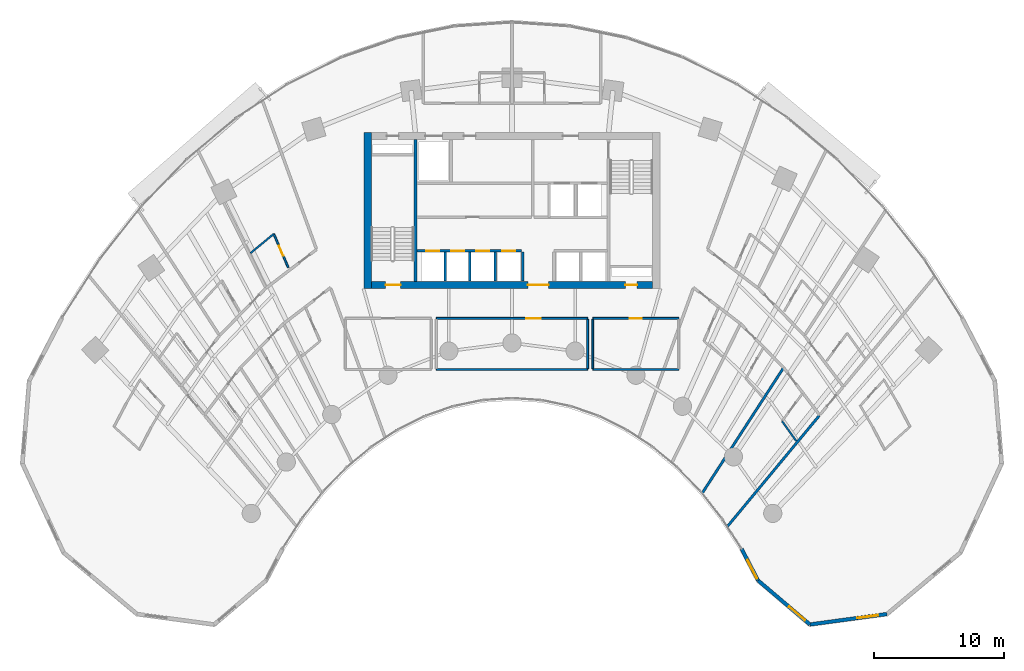
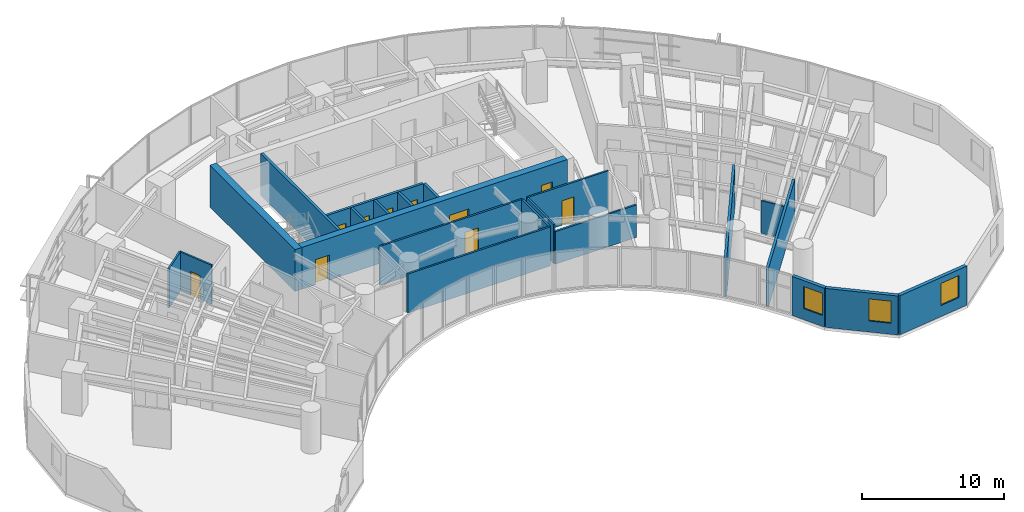
# One storey, part 12 of 18: 22 walls, 10 doors, 3 windows, 13 openings.
"""IFC4 building model written with IfcOpenShell, lengths in metres."""

from ifc_helpers import new_model, si_unit, direction, frame, frame_2d, origin, place, context, subcontext, project, spatial, rectangle, extrude, source, transform, mapped, material, layer, layer_set, type_object, type_shapes, element, fill, save


model = new_model("IFC4")

# Units and contexts
model_context = context("Model", 3, precision=1e-05, world=origin(), true_north=direction((0.0, 1.0)))
body_context = subcontext(model_context, "Body", "Model", "MODEL_VIEW")
ifc_project = project(units=[si_unit("LENGTHUNIT", "METRE"), si_unit("AREAUNIT", "SQUARE_METRE"), si_unit("VOLUMEUNIT", "CUBIC_METRE"), si_unit("PLANEANGLEUNIT", "RADIAN"), si_unit("MASSUNIT", "GRAM", prefix="KILO")], contexts=[model_context])

# Site, building, storey
site_placement = place(None, origin())
site = spatial("IfcSite", under=ifc_project, at=site_placement, CompositionType="ELEMENT")
building_placement = place(site_placement, origin())
building = spatial("IfcBuilding", under=site, at=building_placement, Name="Breltana Convention Tower", CompositionType="ELEMENT")
storey_placement = place(building_placement, frame((0.0, 0.0, 39.0)))
storey = spatial("IfcBuildingStorey", under=building, at=storey_placement, Name="L07", CompositionType="ELEMENT", Elevation=39.0)

# Wall
ifc_material_1 = material(Name="Concrete C60/75", Category="concrete")
ifc_layer_1 = layer(ifc_material_1, 0.550048828125, Name="Concrete C60/75")
ifc_layer_set_1 = layer_set([ifc_layer_1], Name="Concrete C60/75")
wall_type_1 = type_object("IfcWallType", Name="SW-CORE-550", PredefinedType="SHEAR", material=ifc_layer_set_1)
shared_shape_1 = source(origin(), body_context, "Body", "SweptSolid", [
    extrude(rectangle(XDim=12.0, YDim=0.550048828125, at=frame_2d((6.0, 0.0))), origin(), (0.0, 0.0, 1.0), 3.60009765625),
])
wall_1_placement = place(storey_placement, frame((36.925048828125, 60.199951171875, 0.0), z_axis=(0.0, 0.0, 1.0), x_axis=(0.0, 1.0, 0.0)))
element("IfcWall", 1, at=wall_1_placement, inside=storey, type_object=wall_type_1, Name="L07 West Core Shear Wall", PredefinedType="SHEAR", context=body_context, shape_type="MappedRepresentation", body=[
    mapped(shared_shape_1, transform((0.0, 0.0, 0.0), scale=1.0)),
])

# Wall, openings, doors
shared_shape_2 = source(origin(), body_context, "Body", "SweptSolid", [
    extrude(rectangle(XDim=21.60009765625, YDim=0.550048828125, at=frame_2d((10.800048828125, 0.0))), origin(), (0.0, 0.0, 1.0), 3.60009765625),
])
wall_2_placement = place(storey_placement, frame((37.199951171875, 60.47509765625, 0.0), z_axis=(0.0, 0.0, 1.0), x_axis=(1.0, 0.0, 0.0)))
wall_2 = element("IfcWall", 2, at=wall_2_placement, inside=storey, type_object=wall_type_1, Name="L07 South Core Shear Wall", PredefinedType="SHEAR", context=body_context, shape_type="MappedRepresentation", body=[
    mapped(shared_shape_2, transform((0.0, 0.0, 0.0), scale=1.0)),
])
opening_1_placement = place(wall_2_placement, frame((1.10009765625, 0.0, 0.0)))
opening_1 = element("IfcOpeningElement", 3, at=opening_1_placement, cuts=wall_2, Name="Opening D-11", PredefinedType="OPENING", context=body_context, shape_type="SweptSolid", body=[
    extrude(rectangle(XDim=1.14990234375, YDim=2.14990234375, at=frame_2d((0.574951171875, 1.074951171875))), frame((0.0, 0.28515625, 0.0), z_axis=(0.0, -1.0, 0.0), x_axis=(1.0, 0.0, 0.0)), (0.0, 0.0, 1.0), 0.570068359375),
])
opening_2_placement = place(wall_2_placement, frame((19.5, 0.0, 0.0)))
opening_2 = element("IfcOpeningElement", 4, at=opening_2_placement, cuts=wall_2, Name="Opening D-18", PredefinedType="OPENING", context=body_context, shape_type="SweptSolid", body=[
    extrude(rectangle(XDim=0.89990234375, YDim=2.10009765625, at=frame_2d((0.449951171875, 1.050048828125))), frame((0.0, 0.28515625, 0.0), z_axis=(0.0, -1.0, 0.0), x_axis=(1.0, 0.0, 0.0)), (0.0, 0.0, 1.0), 0.570068359375),
])
opening_3_placement = place(wall_2_placement, frame((12.02001953125, 0.0, 0.0)))
opening_3 = element("IfcOpeningElement", 5, at=opening_3_placement, cuts=wall_2, Name="Opening D-02", PredefinedType="OPENING", context=body_context, shape_type="SweptSolid", body=[
    extrude(rectangle(XDim=1.60009765625, YDim=2.14990234375, at=frame_2d((0.800048828125, 1.074951171875))), frame((0.0, 0.28515625, 0.0), z_axis=(0.0, -1.0, 0.0), x_axis=(1.0, 0.0, 0.0)), (0.0, 0.0, 1.0), 0.570068359375),
])
ifc_material_2 = material(Name="Steel Stair Exit Door", Category="steel")
door_type_1 = type_object("IfcDoorType", Name="DR-FD120-1150", OperationType="NOTDEFINED", PredefinedType="DOOR", material=ifc_material_2)
shared_shape_3 = source(origin(), body_context, "Body", "SweptSolid", [
    extrude(rectangle(XDim=1.14990234375, YDim=2.14990234375, at=frame_2d((0.574951171875, 1.074951171875))), frame((0.0, 0.02490234375, 0.0), z_axis=(0.0, -1.0, 0.0), x_axis=(1.0, 0.0, 0.0)), (0.0, 0.0, 1.0), 0.050048828125),
])
type_shapes(door_type_1, [shared_shape_3])
door_1_placement = place(opening_1_placement, origin())
door_1 = element("IfcDoor", 6, at=door_1_placement, inside=storey, type_object=door_type_1, Name="L07 interior door D-L07-ST1", OperationType="SINGLE_SWING_LEFT", OverallHeight=2.14990234375, OverallWidth=1.14990234375, PredefinedType="DOOR", context=body_context, shape_type="MappedRepresentation", body=[
    mapped(shared_shape_3, transform((0.0, 0.0, 0.0), scale=1.0)),
])
fill(opening_1, door_1)
ifc_material_3 = material(Name="Steel Riser Fire Door", Category="steel")
door_type_2 = type_object("IfcDoorType", Name="DR-FD60-900", OperationType="NOTDEFINED", PredefinedType="DOOR", material=ifc_material_3)
shared_shape_4 = source(origin(), body_context, "Body", "SweptSolid", [
    extrude(rectangle(XDim=0.89990234375, YDim=2.10009765625, at=frame_2d((0.449951171875, 1.050048828125))), frame((0.0, 0.02490234375, 0.0), z_axis=(0.0, -1.0, 0.0), x_axis=(1.0, 0.0, 0.0)), (0.0, 0.0, 1.0), 0.050048828125),
])
type_shapes(door_type_2, [shared_shape_4])
door_2_placement = place(opening_2_placement, origin())
door_2 = element("IfcDoor", 7, at=door_2_placement, inside=storey, type_object=door_type_2, Name="L07 Core Riser Access Door D-L07-RS2", OperationType="SINGLE_SWING_RIGHT", OverallHeight=2.10009765625, OverallWidth=0.89990234375, PredefinedType="DOOR", context=body_context, shape_type="MappedRepresentation", body=[
    mapped(shared_shape_4, transform((0.0, 0.0, 0.0), scale=1.0)),
])
fill(opening_2, door_2)
ifc_material_4 = material(Name="Steel Glazed Smoke-Control Door", Category="steel")
door_type_3 = type_object("IfcDoorType", Name="DR-DBL-FD90-1600", OperationType="DOUBLE_DOOR_SINGLE_SWING", PredefinedType="DOOR", material=ifc_material_4)
shared_shape_5 = source(origin(), body_context, "Body", "SweptSolid", [
    extrude(rectangle(XDim=1.60009765625, YDim=2.14990234375, at=frame_2d((0.800048828125, 1.074951171875))), frame((0.0, 0.02490234375, 0.0), z_axis=(0.0, -1.0, 0.0), x_axis=(1.0, 0.0, 0.0)), (0.0, 0.0, 1.0), 0.050048828125),
])
type_shapes(door_type_3, [shared_shape_5])
door_3_placement = place(opening_3_placement, origin())
door_3 = element("IfcDoor", 8, at=door_3_placement, inside=storey, type_object=door_type_3, Name="L07 interior door D-L07-LLB-S", OperationType="DOUBLE_DOOR_SINGLE_SWING", OverallHeight=2.14990234375, OverallWidth=1.60009765625, PredefinedType="DOOR", context=body_context, shape_type="MappedRepresentation", body=[
    mapped(shared_shape_5, transform((0.0, 0.0, 0.0), scale=1.0)),
])
fill(opening_3, door_3)

# Wall
ifc_material_5 = material(Name="Concrete C50/60", Category="concrete")
ifc_layer_2 = layer(ifc_material_5, 0.39990234375, Name="Concrete C50/60")
ifc_layer_set_2 = layer_set([ifc_layer_2], Name="Concrete C50/60")
wall_type_2 = type_object("IfcWallType", Name="SW-CORE-400", PredefinedType="SHEAR", material=ifc_layer_set_2)
shared_shape_6 = source(origin(), body_context, "Body", "SweptSolid", [
    extrude(rectangle(XDim=10.89990234375, YDim=0.219970703125, at=frame_2d((5.449951171875, 0.0))), origin(), (0.0, 0.0, 1.0), 3.60009765625),
])
wall_3_placement = place(storey_placement, frame((40.580078125, 60.75, 0.0), z_axis=(0.0, 0.0, 1.0), x_axis=(0.0, 1.0, 0.0)))
element("IfcWall", 9, at=wall_3_placement, inside=storey, type_object=wall_type_2, Name="L07 Core West Stair Spine Wall", PredefinedType="SHEAR", context=body_context, shape_type="MappedRepresentation", body=[
    mapped(shared_shape_6, transform((0.0, 0.0, 0.0), scale=1.0)),
])

# Wall, opening, window
ifc_material_6 = material(Name="Limestone Buff Insulated Wall", Category="masonry")
ifc_layer_3 = layer(ifc_material_6, 0.280029296875, Name="Limestone Buff Insulated Wall")
ifc_layer_set_3 = layer_set([ifc_layer_3], Name="Limestone Buff Insulated Wall")
wall_type_3 = type_object("IfcWallType", Name="WL-EXT-NOSE-280", PredefinedType="SOLIDWALL", material=ifc_layer_set_3)
shared_shape_7 = source(origin(), body_context, "Body", "SweptSolid", [
    extrude(rectangle(XDim=5.96728515625, YDim=0.280029296875, at=frame_2d((2.983642578125, 0.0))), origin(), (0.0, 0.0, 1.0), 3.360107421875),
])
wall_4_placement = place(storey_placement, frame((76.77734375, 35.226806640625, 0.0), z_axis=(0.0, 0.0, 1.0), x_axis=(-0.990927009341, -0.134401124099, 0.0)))
wall_4 = element("IfcWall", 10, at=wall_4_placement, inside=storey, type_object=wall_type_3, Name="L07 curved limestone nose wall E4", PredefinedType="SOLIDWALL", context=body_context, shape_type="MappedRepresentation", body=[
    mapped(shared_shape_7, transform((0.0, 0.0, 0.0), scale=1.0)),
])
opening_4_placement = place(wall_4_placement, frame((0.69189453125, 0.0, 0.949951171875)))
opening_4 = element("IfcOpeningElement", 11, at=opening_4_placement, cuts=wall_4, Name="Opening W-04", PredefinedType="OPENING", context=body_context, shape_type="SweptSolid", body=[
    extrude(rectangle(XDim=1.60009765625, YDim=1.89990234375, at=frame_2d((0.800048828125, 0.949951171875))), frame((0.0, 0.14990234375, 0.0), z_axis=(0.0, -1.0, 0.0), x_axis=(1.0, 0.0, 0.0)), (0.0, 0.0, 1.0), 0.300048828125),
])
ifc_material_7 = material(Name="Glass Low-E Insulated Window", Category="glass")
window_type = type_object("IfcWindowType", Name="WN-NOSE-1600X1900", PartitioningType="SINGLE_PANEL", PredefinedType="WINDOW", material=ifc_material_7)
shared_shape_8 = source(origin(), body_context, "Body", "SweptSolid", [
    extrude(rectangle(XDim=1.60009765625, YDim=1.89990234375, at=frame_2d((0.800048828125, 0.949951171875))), frame((0.0, 0.030029296875, 0.0), z_axis=(0.0, -1.0, 0.0), x_axis=(1.0, 0.0, 0.0)), (0.0, 0.0, 1.0), 0.06005859375),
])
type_shapes(window_type, [shared_shape_8])
window_1_placement = place(opening_4_placement, origin())
window_1 = element("IfcWindow", 12, at=window_1_placement, inside=storey, type_object=window_type, Name="L07 nose window E4", OverallHeight=1.89990234375, OverallWidth=1.60009765625, PartitioningType="SINGLE_PANEL", PredefinedType="WINDOW", context=body_context, shape_type="MappedRepresentation", body=[
    mapped(shared_shape_8, transform((0.0, 0.0, 0.0), scale=1.0)),
])
fill(opening_4, window_1)

shared_shape_9 = source(origin(), body_context, "Body", "SweptSolid", [
    extrude(rectangle(XDim=5.222412109375, YDim=0.280029296875, at=frame_2d((2.611328125, 0.0))), origin(), (0.0, 0.0, 1.0), 3.360107421875),
])
wall_5_placement = place(storey_placement, frame((70.8642578125, 34.4248046875, 0.0), z_axis=(0.0, 0.0, 1.0), x_axis=(-0.761900099546, 0.647694556339, 0.0)))
wall_5 = element("IfcWall", 13, at=wall_5_placement, inside=storey, type_object=wall_type_3, Name="L07 curved limestone nose wall E5", PredefinedType="SOLIDWALL", context=body_context, shape_type="MappedRepresentation", body=[
    mapped(shared_shape_9, transform((0.0, 0.0, 0.0), scale=1.0)),
])
opening_5_placement = place(wall_5_placement, frame((0.505615234375, 0.0, 0.949951171875)))
opening_5 = element("IfcOpeningElement", 14, at=opening_5_placement, cuts=wall_5, Name="Opening W-04", PredefinedType="OPENING", context=body_context, shape_type="SweptSolid", body=[
    extrude(rectangle(XDim=1.60009765625, YDim=1.89990234375, at=frame_2d((0.800048828125, 0.949951171875))), frame((0.0, 0.14990234375, 0.0), z_axis=(0.0, -1.0, 0.0), x_axis=(1.0, 0.0, 0.0)), (0.0, 0.0, 1.0), 0.300048828125),
])
window_2_placement = place(opening_5_placement, origin())
window_2 = element("IfcWindow", 15, at=window_2_placement, inside=storey, type_object=window_type, Name="L07 nose window E5", OverallHeight=1.89990234375, OverallWidth=1.60009765625, PartitioningType="SINGLE_PANEL", PredefinedType="WINDOW", context=body_context, shape_type="MappedRepresentation", body=[
    mapped(shared_shape_8, transform((0.0, 0.0, 0.0), scale=1.0)),
])
fill(opening_5, window_2)

shared_shape_10 = source(origin(), body_context, "Body", "SweptSolid", [
    extrude(rectangle(XDim=2.7353515625, YDim=0.280029296875, at=frame_2d((1.36767578125, 0.0))), origin(), (0.0, 0.0, 1.0), 3.360107421875),
])
wall_6_placement = place(storey_placement, frame((66.88525390625, 37.807373046875, 0.0), z_axis=(0.0, 0.0, 1.0), x_axis=(-0.46179107292, 0.886988728774, 0.0)))
wall_6 = element("IfcWall", 16, at=wall_6_placement, inside=storey, type_object=wall_type_3, Name="L07 curved limestone nose wall E6", PredefinedType="SOLIDWALL", context=body_context, shape_type="MappedRepresentation", body=[
    mapped(shared_shape_10, transform((0.0, 0.0, 0.0), scale=1.0)),
])
opening_6_placement = place(wall_6_placement, frame((0.159912109375, 0.0, 0.949951171875)))
opening_6 = element("IfcOpeningElement", 17, at=opening_6_placement, cuts=wall_6, Name="Opening W-04", PredefinedType="OPENING", context=body_context, shape_type="SweptSolid", body=[
    extrude(rectangle(XDim=1.60009765625, YDim=1.89990234375, at=frame_2d((0.800048828125, 0.949951171875))), frame((0.0, 0.14990234375, 0.0), z_axis=(0.0, -1.0, 0.0), x_axis=(1.0, 0.0, 0.0)), (0.0, 0.0, 1.0), 0.300048828125),
])
window_3_placement = place(opening_6_placement, origin())
window_3 = element("IfcWindow", 18, at=window_3_placement, inside=storey, type_object=window_type, Name="L07 nose window E6", OverallHeight=1.89990234375, OverallWidth=1.60009765625, PartitioningType="SINGLE_PANEL", PredefinedType="WINDOW", context=body_context, shape_type="MappedRepresentation", body=[
    mapped(shared_shape_8, transform((0.0, 0.0, 0.0), scale=1.0)),
])
fill(opening_6, window_3)

# Wall
ifc_material_8 = material(Name="Autoclaved Aerated Concrete Block", Category="concrete")
ifc_layer_4 = layer(ifc_material_8, 0.199951171875, Name="Autoclaved Aerated Concrete Block")
ifc_layer_set_4 = layer_set([ifc_layer_4], Name="Autoclaved Aerated Concrete Block")
wall_type_4 = type_object("IfcWallType", Name="WL-SHAFT-200", PredefinedType="SOLIDWALL", material=ifc_layer_set_4)
shared_shape_11 = source(origin(), body_context, "Body", "SweptSolid", [
    extrude(rectangle(XDim=2.239990234375, YDim=0.199951171875, at=frame_2d((1.1201171875, 0.0))), origin(), (0.0, 0.0, 1.0), 3.360107421875),
])
wall_7_placement = place(storey_placement, frame((48.820068359375, 60.780029296875, 0.0), z_axis=(0.0, 0.0, 1.0), x_axis=(0.0, 1.0, 0.0)))
element("IfcWall", 19, at=wall_7_placement, inside=storey, type_object=wall_type_4, Name="L07 interior partition W-L07-PORT-W", PredefinedType="SOLIDWALL", context=body_context, shape_type="MappedRepresentation", body=[
    mapped(shared_shape_11, transform((0.0, 0.0, 0.0), scale=1.0)),
])

# Wall, openings, doors
shared_shape_12 = source(origin(), body_context, "Body", "SweptSolid", [
    extrude(rectangle(XDim=8.02001953125, YDim=0.199951171875, at=frame_2d((4.010009765625, 0.0))), origin(), (0.0, 0.0, 1.0), 3.360107421875),
])
wall_8_placement = place(storey_placement, frame((40.699951171875, 63.10009765625, 0.0), z_axis=(0.0, 0.0, 1.0), x_axis=(1.0, 0.0, 0.0)))
wall_8 = element("IfcWall", 20, at=wall_8_placement, inside=storey, type_object=wall_type_4, Name="L07 interior partition W-L07-SH-S-FRONT", PredefinedType="SOLIDWALL", context=body_context, shape_type="MappedRepresentation", body=[
    mapped(shared_shape_12, transform((0.0, 0.0, 0.0), scale=1.0)),
])
opening_7_placement = place(wall_8_placement, frame((0.719970703125, 0.0, 0.0)))
opening_7 = element("IfcOpeningElement", 21, at=opening_7_placement, cuts=wall_8, Name="Opening LD-04", PredefinedType="OPENING", context=body_context, shape_type="SweptSolid", body=[
    extrude(rectangle(XDim=1.0, YDim=2.14990234375, at=frame_2d((0.5, 1.074951171875))), frame((0.0, 0.10986328125, 0.0), z_axis=(0.0, -1.0, 0.0), x_axis=(1.0, 0.0, 0.0)), (0.0, 0.0, 1.0), 0.219970703125),
])
opening_8_placement = place(wall_8_placement, frame((2.6201171875, 0.0, 0.0)))
opening_8 = element("IfcOpeningElement", 22, at=opening_8_placement, cuts=wall_8, Name="Opening LD-04", PredefinedType="OPENING", context=body_context, shape_type="SweptSolid", body=[
    extrude(rectangle(XDim=1.0, YDim=2.14990234375, at=frame_2d((0.5, 1.074951171875))), frame((0.0, 0.10986328125, 0.0), z_axis=(0.0, -1.0, 0.0), x_axis=(1.0, 0.0, 0.0)), (0.0, 0.0, 1.0), 0.219970703125),
])
opening_9_placement = place(wall_8_placement, frame((4.550048828125, 0.0, 0.0)))
opening_9 = element("IfcOpeningElement", 23, at=opening_9_placement, cuts=wall_8, Name="Opening LD-04", PredefinedType="OPENING", context=body_context, shape_type="SweptSolid", body=[
    extrude(rectangle(XDim=1.0, YDim=2.14990234375, at=frame_2d((0.5, 1.074951171875))), frame((0.0, 0.10986328125, 0.0), z_axis=(0.0, -1.0, 0.0), x_axis=(1.0, 0.0, 0.0)), (0.0, 0.0, 1.0), 0.219970703125),
])
opening_10_placement = place(wall_8_placement, frame((6.550048828125, 0.0, 0.0)))
opening_10 = element("IfcOpeningElement", 24, at=opening_10_placement, cuts=wall_8, Name="Opening LD-04", PredefinedType="OPENING", context=body_context, shape_type="SweptSolid", body=[
    extrude(rectangle(XDim=1.0, YDim=2.14990234375, at=frame_2d((0.5, 1.074951171875))), frame((0.0, 0.10986328125, 0.0), z_axis=(0.0, -1.0, 0.0), x_axis=(1.0, 0.0, 0.0)), (0.0, 0.0, 1.0), 0.219970703125),
])
ifc_material_9 = material(Name="Stainless Steel Brushed", Category="steel")
door_type_4 = type_object("IfcDoorType", Name="DR-LD-PAX-1000", OperationType="DOUBLE_DOOR_SLIDING", PredefinedType="DOOR", material=ifc_material_9)
shared_shape_13 = source(origin(), body_context, "Body", "SweptSolid", [
    extrude(rectangle(XDim=1.0, YDim=2.14990234375, at=frame_2d((0.5, 1.074951171875))), frame((0.0, 0.02490234375, 0.0), z_axis=(0.0, -1.0, 0.0), x_axis=(1.0, 0.0, 0.0)), (0.0, 0.0, 1.0), 0.050048828125),
])
type_shapes(door_type_4, [shared_shape_13])
door_4_placement = place(opening_7_placement, origin())
door_4 = element("IfcDoor", 25, at=door_4_placement, inside=storey, type_object=door_type_4, Name="L07 Lift Landing Door D-L07-LD-S1", OperationType="DOUBLE_DOOR_SLIDING", OverallHeight=2.14990234375, OverallWidth=1.0, PredefinedType="DOOR", context=body_context, shape_type="MappedRepresentation", body=[
    mapped(shared_shape_13, transform((0.0, 0.0, 0.0), scale=1.0)),
])
fill(opening_7, door_4)
door_5_placement = place(opening_8_placement, origin())
door_5 = element("IfcDoor", 26, at=door_5_placement, inside=storey, type_object=door_type_4, Name="L07 Lift Landing Door D-L07-LD-S2", OperationType="DOUBLE_DOOR_SLIDING", OverallHeight=2.14990234375, OverallWidth=1.0, PredefinedType="DOOR", context=body_context, shape_type="MappedRepresentation", body=[
    mapped(shared_shape_13, transform((0.0, 0.0, 0.0), scale=1.0)),
])
fill(opening_8, door_5)
door_6_placement = place(opening_9_placement, origin())
door_6 = element("IfcDoor", 27, at=door_6_placement, inside=storey, type_object=door_type_4, Name="L07 Lift Landing Door D-L07-LD-S3", OperationType="DOUBLE_DOOR_SLIDING", OverallHeight=2.14990234375, OverallWidth=1.0, PredefinedType="DOOR", context=body_context, shape_type="MappedRepresentation", body=[
    mapped(shared_shape_13, transform((0.0, 0.0, 0.0), scale=1.0)),
])
fill(opening_9, door_6)
door_7_placement = place(opening_10_placement, origin())
door_7 = element("IfcDoor", 28, at=door_7_placement, inside=storey, type_object=door_type_4, Name="L07 Lift Landing Door D-L07-LD-S4", OperationType="DOUBLE_DOOR_SLIDING", OverallHeight=2.14990234375, OverallWidth=1.0, PredefinedType="DOOR", context=body_context, shape_type="MappedRepresentation", body=[
    mapped(shared_shape_13, transform((0.0, 0.0, 0.0), scale=1.0)),
])
fill(opening_10, door_7)

# Walls
shared_shape_14 = source(origin(), body_context, "Body", "SweptSolid", [
    extrude(rectangle(XDim=2.199951171875, YDim=0.199951171875, at=frame_2d((1.10009765625, 0.0))), origin(), (0.0, 0.0, 1.0), 3.360107421875),
])
for number, where, z_axis, x_axis, name in (
    (29, (42.8701171875, 60.800048828125, 0.0), (0.0, 0.0, 1.0), (0.0, 1.0, 0.0), "L07 interior partition W-L07-SH-S-DIV1"),
    (30, (44.77001953125, 60.800048828125, 0.0), (0.0, 0.0, 1.0), (0.0, 1.0, 0.0), "L07 interior partition W-L07-SH-S-DIV2"),
    (31, (46.699951171875, 60.800048828125, 0.0), (0.0, 0.0, 1.0), (0.0, 1.0, 0.0), "L07 interior partition W-L07-SH-S-DIV3"),
):
    element("IfcWall", number, at=place(storey_placement, frame(where, z_axis=z_axis, x_axis=x_axis)), inside=storey, type_object=wall_type_4, Name=name, PredefinedType="SOLIDWALL", context=body_context, shape_type="MappedRepresentation", body=[
        mapped(shared_shape_14, transform((0.0, 0.0, 0.0), scale=1.0)),
    ])
ifc_material_10 = material(Name="Gypsum Acoustic Drywall Partition")
ifc_layer_5 = layer(ifc_material_10, 0.14990234375, Name="Gypsum Acoustic Drywall Partition")
ifc_layer_set_5 = layer_set([ifc_layer_5], Name="Gypsum Acoustic Drywall Partition")
wall_type_5 = type_object("IfcWallType", Name="WL-PART-150", PredefinedType="PARTITIONING", material=ifc_layer_set_5)
shared_shape_15 = source(origin(), body_context, "Body", "SweptSolid", [
    extrude(rectangle(XDim=6.60009765625, YDim=0.14990234375, at=frame_2d((3.300048828125, 0.0))), origin(), (0.0, 0.0, 1.0), 2.802978515625),
])
wall_9_placement = place(storey_placement, frame((54.199951171875, 54.0, 0.0), z_axis=(0.0, 0.0, 1.0), x_axis=(1.0, 0.0, 0.0)))
element("IfcWall", 32, at=wall_9_placement, inside=storey, type_object=wall_type_5, Name="L07 interior partition W-L07-HMT-S", PredefinedType="PARTITIONING", context=body_context, shape_type="MappedRepresentation", body=[
    mapped(shared_shape_15, transform((0.0, 0.0, 0.0), scale=1.0)),
])

# Wall, opening, door
shared_shape_16 = source(origin(), body_context, "Body", "SweptSolid", [
    extrude(rectangle(XDim=6.60009765625, YDim=0.14990234375, at=frame_2d((3.300048828125, 0.0))), origin(), (0.0, 0.0, 1.0), 3.360107421875),
])
wall_10_placement = place(storey_placement, frame((54.199951171875, 57.919921875, 0.0), z_axis=(0.0, 0.0, 1.0), x_axis=(1.0, 0.0, 0.0)))
wall_10 = element("IfcWall", 33, at=wall_10_placement, inside=storey, type_object=wall_type_5, Name="L07 interior partition W-L07-HMT-N", PredefinedType="PARTITIONING", context=body_context, shape_type="MappedRepresentation", body=[
    mapped(shared_shape_16, transform((0.0, 0.0, 0.0), scale=1.0)),
])
opening_11_placement = place(wall_10_placement, frame((2.824951171875, 0.0, 0.0)))
opening_11 = element("IfcOpeningElement", 34, at=opening_11_placement, cuts=wall_10, Name="Opening D-17", PredefinedType="OPENING", context=body_context, shape_type="SweptSolid", body=[
    extrude(rectangle(XDim=0.949951171875, YDim=2.10009765625, at=frame_2d((0.47509765625, 1.050048828125))), frame((0.0, 0.0849609375, 0.0), z_axis=(0.0, -1.0, 0.0), x_axis=(1.0, 0.0, 0.0)), (0.0, 0.0, 1.0), 0.169921875),
])
ifc_material_11 = material(Name="Timber Oak Veneer Door", Category="wood")
door_type_5 = type_object("IfcDoorType", Name="DR-INT-950", OperationType="NOTDEFINED", PredefinedType="DOOR", material=ifc_material_11)
shared_shape_17 = source(origin(), body_context, "Body", "SweptSolid", [
    extrude(rectangle(XDim=0.949951171875, YDim=2.10009765625, at=frame_2d((0.47509765625, 1.050048828125))), frame((0.0, 0.02490234375, 0.0), z_axis=(0.0, -1.0, 0.0), x_axis=(1.0, 0.0, 0.0)), (0.0, 0.0, 1.0), 0.050048828125),
])
type_shapes(door_type_5, [shared_shape_17])
door_8_placement = place(opening_11_placement, origin())
door_8 = element("IfcDoor", 35, at=door_8_placement, inside=storey, type_object=door_type_5, Name="L07 interior door D-L07-HMT", OperationType="SINGLE_SWING_LEFT", OverallHeight=2.10009765625, OverallWidth=0.949951171875, PredefinedType="DOOR", context=body_context, shape_type="MappedRepresentation", body=[
    mapped(shared_shape_17, transform((0.0, 0.0, 0.0), scale=1.0)),
])
fill(opening_11, door_8)

# Walls
shared_shape_18 = source(origin(), body_context, "Body", "SweptSolid", [
    extrude(rectangle(XDim=3.78515625, YDim=0.14990234375, at=frame_2d((1.892578125, 0.0))), origin(), (0.0, 0.0, 1.0), 3.360107421875),
])
for number, where, z_axis, x_axis, name in (
    (36, (53.800048828125, 54.0673828125, 0.0), (0.0, 0.0, 1.0), (0.0, 1.0, 0.0), "L07 interior partition W-L07-HLG-E"),
    (37, (54.199951171875, 54.0673828125, 0.0), (0.0, 0.0, 1.0), (0.0, 1.0, 0.0), "L07 interior partition W-L07-HMT-W"),
):
    element("IfcWall", number, at=place(storey_placement, frame(where, z_axis=z_axis, x_axis=x_axis)), inside=storey, type_object=wall_type_5, Name=name, PredefinedType="PARTITIONING", context=body_context, shape_type="MappedRepresentation", body=[
        mapped(shared_shape_18, transform((0.0, 0.0, 0.0), scale=1.0)),
    ])
shared_shape_19 = source(origin(), body_context, "Body", "SweptSolid", [
    extrude(rectangle(XDim=11.60009765625, YDim=0.14990234375, at=frame_2d((5.800048828125, 0.0))), origin(), (0.0, 0.0, 1.0), 3.360107421875),
])
wall_11_placement = place(storey_placement, frame((42.199951171875, 54.0, 0.0), z_axis=(0.0, 0.0, 1.0), x_axis=(1.0, 0.0, 0.0)))
element("IfcWall", 38, at=wall_11_placement, inside=storey, type_object=wall_type_5, Name="L07 interior partition W-L07-HLG-S", PredefinedType="PARTITIONING", context=body_context, shape_type="MappedRepresentation", body=[
    mapped(shared_shape_19, transform((0.0, 0.0, 0.0), scale=1.0)),
])

# Wall, opening, door
wall_12_placement = place(storey_placement, frame((42.199951171875, 57.919921875, 0.0), z_axis=(0.0, 0.0, 1.0), x_axis=(1.0, 0.0, 0.0)))
wall_12 = element("IfcWall", 39, at=wall_12_placement, inside=storey, type_object=wall_type_5, Name="L07 interior partition W-L07-HLG-N", PredefinedType="PARTITIONING", context=body_context, shape_type="MappedRepresentation", body=[
    mapped(shared_shape_19, transform((0.0, 0.0, 0.0), scale=1.0)),
])
opening_12_placement = place(wall_12_placement, frame((6.89990234375, 0.0, 0.0)))
opening_12 = element("IfcOpeningElement", 40, at=opening_12_placement, cuts=wall_12, Name="Opening D-12", PredefinedType="OPENING", context=body_context, shape_type="SweptSolid", body=[
    extrude(rectangle(XDim=1.10009765625, YDim=2.14990234375, at=frame_2d((0.550048828125, 1.074951171875))), frame((0.0, 0.0849609375, 0.0), z_axis=(0.0, -1.0, 0.0), x_axis=(1.0, 0.0, 0.0)), (0.0, 0.0, 1.0), 0.169921875),
])
ifc_material_12 = material(Name="Timber Oak Acoustic Door", Category="wood")
door_type_6 = type_object("IfcDoorType", Name="DR-INT-1100", OperationType="NOTDEFINED", PredefinedType="DOOR", material=ifc_material_12)
shared_shape_20 = source(origin(), body_context, "Body", "SweptSolid", [
    extrude(rectangle(XDim=1.10009765625, YDim=2.14990234375, at=frame_2d((0.550048828125, 1.074951171875))), frame((0.0, 0.02490234375, 0.0), z_axis=(0.0, -1.0, 0.0), x_axis=(1.0, 0.0, 0.0)), (0.0, 0.0, 1.0), 0.050048828125),
])
type_shapes(door_type_6, [shared_shape_20])
door_9_placement = place(opening_12_placement, origin())
door_9 = element("IfcDoor", 41, at=door_9_placement, inside=storey, type_object=door_type_6, Name="L07 interior door D-L07-HLG", OperationType="SINGLE_SWING_RIGHT", OverallHeight=2.14990234375, OverallWidth=1.10009765625, PredefinedType="DOOR", context=body_context, shape_type="MappedRepresentation", body=[
    mapped(shared_shape_20, transform((0.0, 0.0, 0.0), scale=1.0)),
])
fill(opening_12, door_9)

# Walls
ifc_material_13 = material(Name="Gypsum Acoustic Hotel Wall")
ifc_layer_6 = layer(ifc_material_13, 0.195068359375, Name="Gypsum Acoustic Hotel Wall")
ifc_layer_set_6 = layer_set([ifc_layer_6], Name="Gypsum Acoustic Hotel Wall")
wall_type_6 = type_object("IfcWallType", Name="WL-HOTEL-200", PredefinedType="PARTITIONING", material=ifc_layer_set_6)
shared_shape_21 = source(origin(), body_context, "Body", "SweptSolid", [
    extrude(rectangle(XDim=11.05322265625, YDim=0.195068359375, at=frame_2d((5.526611328125, 0.0))), origin(), (0.0, 0.0, 1.0), 3.360107421875),
])
wall_13_placement = place(storey_placement, frame((64.533935546875, 41.948974609375, 0.0), z_axis=(0.0, 0.0, 1.0), x_axis=(0.638131235571, 0.769927611005, 0.0)))
element("IfcWall", 42, at=wall_13_placement, inside=storey, type_object=wall_type_6, Name="L07 interior partition W-L07-HK12-RB", PredefinedType="PARTITIONING", context=body_context, shape_type="MappedRepresentation", body=[
    mapped(shared_shape_21, transform((0.0, 0.0, 0.0), scale=1.0)),
])
shared_shape_22 = source(origin(), body_context, "Body", "SweptSolid", [
    extrude(rectangle(XDim=11.4287109375, YDim=0.195068359375, at=frame_2d((5.71435546875, 0.0))), origin(), (0.0, 0.0, 1.0), 3.360107421875),
])
wall_14_placement = place(storey_placement, frame((62.603515625, 44.510986328125, 0.0), z_axis=(0.0, 0.0, 1.0), x_axis=(0.544215487077, 0.838945471187, 0.0)))
element("IfcWall", 43, at=wall_14_placement, inside=storey, type_object=wall_type_6, Name="L07 interior partition W-L07-HK10-RB", PredefinedType="PARTITIONING", context=body_context, shape_type="MappedRepresentation", body=[
    mapped(shared_shape_22, transform((0.0, 0.0, 0.0), scale=1.0)),
])
ifc_material_14 = material(Name="Moisture-Resistant En-Suite Partition")
ifc_layer_7 = layer(ifc_material_14, 0.139892578125, Name="Moisture-Resistant En-Suite Partition")
ifc_layer_set_7 = layer_set([ifc_layer_7], Name="Moisture-Resistant En-Suite Partition")
wall_type_7 = type_object("IfcWallType", Name="WL-WET-150", PredefinedType="PARTITIONING", material=ifc_layer_set_7)
shared_shape_23 = source(origin(), body_context, "Body", "SweptSolid", [
    extrude(rectangle(XDim=2.324462890625, YDim=0.139892578125, at=frame_2d((1.162109375, 0.0))), origin(), (0.0, 0.0, 1.0), 3.360107421875),
])
wall_15_placement = place(storey_placement, frame((27.922607421875, 62.92578125, 0.0), z_axis=(0.0, 0.0, 1.0), x_axis=(0.770746444956, 0.637141991701, 0.0)))
element("IfcWall", 44, at=wall_15_placement, inside=storey, type_object=wall_type_7, Name="L07 interior partition W-L07-HK05E-BK", PredefinedType="PARTITIONING", context=body_context, shape_type="MappedRepresentation", body=[
    mapped(shared_shape_23, transform((0.0, 0.0, 0.0), scale=1.0)),
])

# Wall, opening, door
shared_shape_24 = source(origin(), body_context, "Body", "SweptSolid", [
    extrude(rectangle(XDim=2.817626953125, YDim=0.139892578125, at=frame_2d((1.40869140625, 0.0))), origin(), (0.0, 0.0, 1.0), 3.360107421875),
])
wall_16_placement = place(storey_placement, frame((30.82958984375, 61.8193359375, 0.0), z_axis=(0.0, 0.0, 1.0), x_axis=(-0.395894859341, 0.918295845764, 0.0)))
wall_16 = element("IfcWall", 45, at=wall_16_placement, inside=storey, type_object=wall_type_7, Name="L07 interior partition W-L07-HK05E-SD", PredefinedType="PARTITIONING", context=body_context, shape_type="MappedRepresentation", body=[
    mapped(shared_shape_24, transform((0.0, 0.0, 0.0), scale=1.0)),
])
opening_13_placement = place(wall_16_placement, frame((0.98388671875, 0.0, 0.0)))
opening_13 = element("IfcOpeningElement", 46, at=opening_13_placement, cuts=wall_16, Name="Opening D-21", PredefinedType="OPENING", context=body_context, shape_type="SweptSolid", body=[
    extrude(rectangle(XDim=0.85009765625, YDim=2.050048828125, at=frame_2d((0.425048828125, 1.02490234375))), frame((0.0, 0.080078125, 0.0), z_axis=(0.0, -1.0, 0.0), x_axis=(1.0, 0.0, 0.0)), (0.0, 0.0, 1.0), 0.159912109375),
])
ifc_material_15 = material(Name="Timber Moisture-Resistant En-Suite Door", Category="wood")
door_type_7 = type_object("IfcDoorType", Name="DR-WET-850", OperationType="NOTDEFINED", PredefinedType="DOOR", material=ifc_material_15)
shared_shape_25 = source(origin(), body_context, "Body", "SweptSolid", [
    extrude(rectangle(XDim=0.85009765625, YDim=2.050048828125, at=frame_2d((0.425048828125, 1.02490234375))), frame((0.0, 0.02490234375, 0.0), z_axis=(0.0, -1.0, 0.0), x_axis=(1.0, 0.0, 0.0)), (0.0, 0.0, 1.0), 0.050048828125),
])
type_shapes(door_type_7, [shared_shape_25])
door_10_placement = place(opening_13_placement, origin())
door_10 = element("IfcDoor", 47, at=door_10_placement, inside=storey, type_object=door_type_7, Name="L07 interior door D-L07-HK05E", OperationType="SINGLE_SWING_LEFT", OverallHeight=2.050048828125, OverallWidth=0.85009765625, PredefinedType="DOOR", context=body_context, shape_type="MappedRepresentation", body=[
    mapped(shared_shape_25, transform((0.0, 0.0, 0.0), scale=1.0)),
])
fill(opening_13, door_10)

# Wall
shared_shape_26 = source(origin(), body_context, "Body", "SweptSolid", [
    extrude(rectangle(XDim=1.883544921875, YDim=0.139892578125, at=frame_2d((0.94189453125, 0.0))), origin(), (0.0, 0.0, 1.0), 2.802978515625),
])
wall_17_placement = place(storey_placement, frame((68.7294921875, 50.031005859375, 0.0), z_axis=(0.0, 0.0, 1.0), x_axis=(0.580833492897, -0.814022391295, 0.0)))
element("IfcWall", 48, at=wall_17_placement, inside=storey, type_object=wall_type_7, Name="L07 interior partition W-L07-HK12E-BK", PredefinedType="PARTITIONING", context=body_context, shape_type="MappedRepresentation", body=[
    mapped(shared_shape_26, transform((0.0, 0.0, 0.0), scale=1.0)),
])

save(model, "model.ifc")
